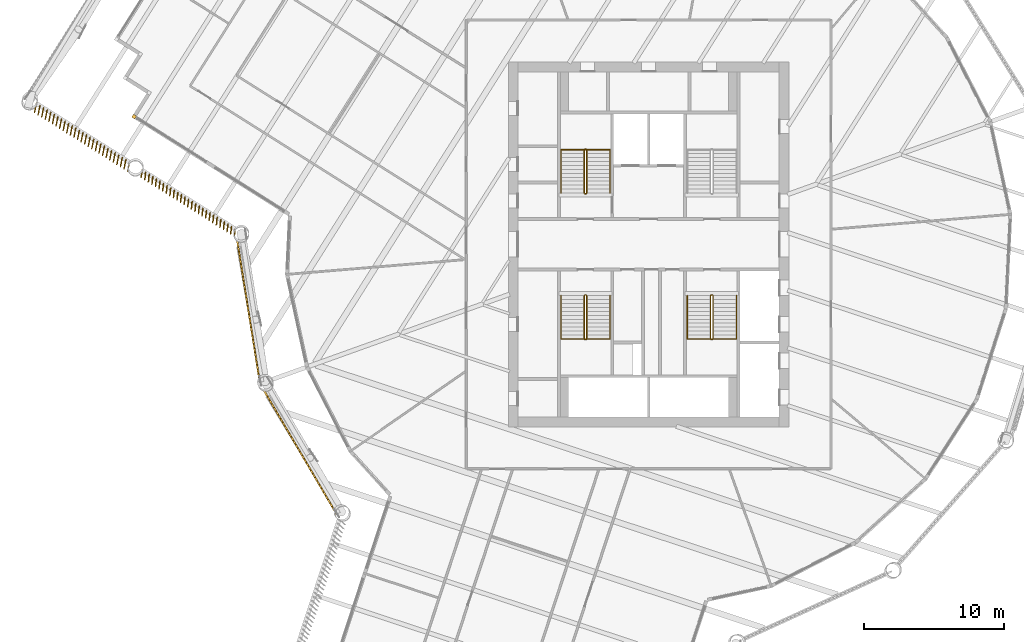
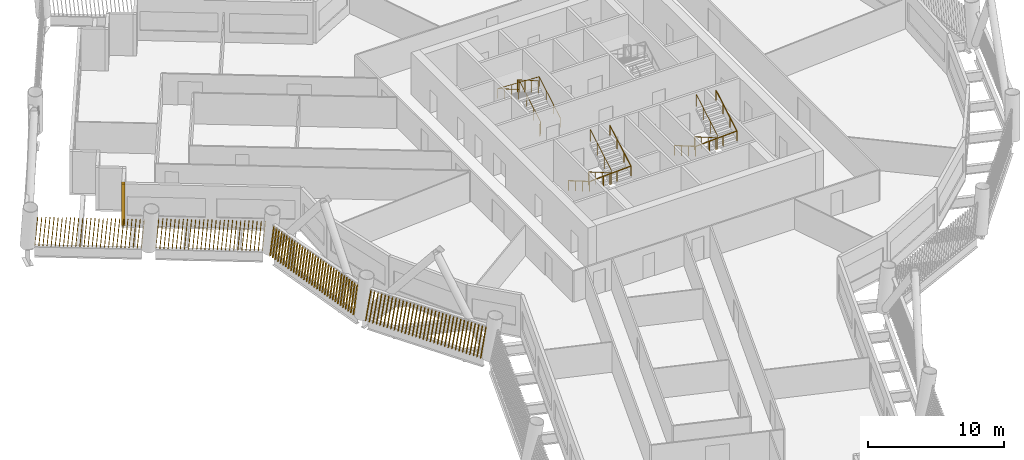
# One storey, part 19 of 22: 6 railings, 5 shading devices.
"""IFC4 building model written with IfcOpenShell, lengths in metres."""

from ifc_helpers import new_model, si_unit, direction, frame, frame_2d, origin, origin_2d, place, context, subcontext, project, spatial, rectangle, circle, composite_profile, extrude, material, type_object, element, save


model = new_model("IFC4")

# Units and contexts
model_context = context("Model", 3, precision=1e-05, world=origin(), true_north=direction((0.0, 1.0)))
body_context = subcontext(model_context, "Body", "Model", "MODEL_VIEW")
ifc_project = project(units=[si_unit("LENGTHUNIT", "METRE"), si_unit("AREAUNIT", "SQUARE_METRE"), si_unit("VOLUMEUNIT", "CUBIC_METRE"), si_unit("PLANEANGLEUNIT", "RADIAN"), si_unit("MASSUNIT", "GRAM", prefix="KILO")], contexts=[model_context])

# Site, building, storey
site_placement = place(None, origin())
site = spatial("IfcSite", under=ifc_project, at=site_placement, CompositionType="ELEMENT")
building_placement = place(site_placement, origin())
building = spatial("IfcBuilding", under=site, at=building_placement, Name="Tarsis Ring Headquarters", CompositionType="ELEMENT")
storey_placement = place(building_placement, frame((0.0, 0.0, 147.60009765625)))
storey = spatial("IfcBuildingStorey", under=building, at=storey_placement, Name="L33", CompositionType="ELEMENT", Elevation=147.60009765625)

# Railings
ifc_material_1 = material(Name="Steel S355", Category="steel")
railing_type_1 = type_object("IfcRailingType", Name="Core stair guard 1100", PredefinedType="GUARDRAIL", material=ifc_material_1)
railing_1_placement = place(storey_placement, frame((-4.5400390625, 3.610107421875, 0.0)))
element("IfcRailing", 1, at=railing_1_placement, inside=storey, type_object=railing_type_1, Name="L33 ST1 stair guard 1", PredefinedType="GUARDRAIL", context=body_context, shape_type="SweptSolid", body=[
    extrude(circle(Radius=0.02392578125, at=origin_2d()), frame((0.0, 0.0, 1.076171875), z_axis=(1.0, 0.0, 0.0), x_axis=(0.0, 1.0, 0.0)), (0.0, 0.0, 1.0), 0.080078125),
    extrude(circle(Radius=0.02392578125, at=origin_2d()), frame((0.080078125, 0.0, 1.076171875), z_axis=(0.282693820306, 0.281314826061, 0.917031173188), x_axis=(-0.705375805398, 0.708833529934, 0.0)), (0.0, 0.0, 1.0), 0.177001953125),
    extrude(circle(Radius=0.02392578125, at=origin_2d()), frame((0.130126953125, 0.0498046875, 1.23828125), z_axis=(0.0, 0.864890721111, 0.501960198159), x_axis=(-1.0, 0.0, 0.0)), (0.0, 0.0, 1.0), 3.561279296875),
    extrude(circle(Radius=0.02392578125, at=origin_2d()), frame((0.130126953125, 3.1298828125, 3.02587890625), z_axis=(-0.707106781187, 0.707106781187, 0.0), x_axis=(-0.707106781187, -0.707106781187, 0.0)), (0.0, 0.0, 1.0), 0.07080078125),
    extrude(circle(Radius=0.02392578125, at=origin_2d()), frame((0.080078125, 3.179931640625, 3.02587890625), z_axis=(-1.0, 0.0, 0.0), x_axis=(0.0, -1.0, 0.0)), (0.0, 0.0, 1.0), 0.080078125),
    extrude(circle(Radius=0.02392578125, at=origin_2d()), frame((0.0, 3.179931640625, 3.02587890625), z_axis=(-0.282583949758, -0.282583949758, 0.916674763849), x_axis=(0.707106781187, -0.707106781187, 0.0)), (0.0, 0.0, 1.0), 0.177001953125),
    extrude(circle(Radius=0.02392578125, at=origin_2d()), frame((-0.050048828125, 3.1298828125, 3.1884765625), z_axis=(0.0, -0.864890721111, 0.501960198159), x_axis=(1.0, 0.0, 0.0)), (0.0, 0.0, 1.0), 3.561279296875),
    extrude(circle(Radius=0.02099609375, at=origin_2d()), origin(), (0.0, 0.0, 1.0), 1.052001953125),
    extrude(circle(Radius=0.02099609375, at=origin_2d()), frame((0.080078125, 0.0, 0.0)), (0.0, 0.0, 1.0), 1.052001953125),
    extrude(circle(Radius=0.02099609375, at=origin_2d()), frame((0.130126953125, 0.0498046875, 0.162353515625)), (0.0, 0.0, 1.0), 1.052001953125),
    extrude(circle(Radius=0.02099609375, at=origin_2d()), frame((0.130126953125, 1.076416015625, 0.75830078125)), (0.0, 0.0, 1.0), 1.052001953125),
    extrude(circle(Radius=0.02099609375, at=origin_2d()), frame((0.130126953125, 2.103271484375, 1.35400390625)), (0.0, 0.0, 1.0), 1.052001953125),
    extrude(circle(Radius=0.02099609375, at=origin_2d()), frame((0.130126953125, 3.1298828125, 1.949951171875)), (0.0, 0.0, 1.0), 1.052001953125),
    extrude(circle(Radius=0.02099609375, at=origin_2d()), frame((0.080078125, 3.179931640625, 1.949951171875)), (0.0, 0.0, 1.0), 1.052001953125),
    extrude(circle(Radius=0.02099609375, at=origin_2d()), frame((0.0, 3.179931640625, 1.949951171875)), (0.0, 0.0, 1.0), 1.052001953125),
    extrude(circle(Radius=0.02099609375, at=origin_2d()), frame((-0.050048828125, 3.1298828125, 2.1123046875)), (0.0, 0.0, 1.0), 1.052001953125),
    extrude(circle(Radius=0.02099609375, at=origin_2d()), frame((-0.050048828125, 2.103271484375, 2.708251953125)), (0.0, 0.0, 1.0), 1.052001953125),
    extrude(circle(Radius=0.02099609375, at=origin_2d()), frame((-0.050048828125, 1.076416015625, 3.303955078125)), (0.0, 0.0, 1.0), 1.052001953125),
    extrude(circle(Radius=0.02099609375, at=origin_2d()), frame((-0.050048828125, 0.0498046875, 3.89990234375)), (0.0, 0.0, 1.0), 1.052001953125),
])
railing_2_placement = place(storey_placement, frame((-4.4599609375, -3.610107421875, 0.0)))
element("IfcRailing", 2, at=railing_2_placement, inside=storey, type_object=railing_type_1, Name="L33 ST3 stair guard 1", PredefinedType="GUARDRAIL", context=body_context, shape_type="SweptSolid", body=[
    extrude(circle(Radius=0.02392578125, at=origin_2d()), frame((0.0, 0.0, 1.076171875), z_axis=(-1.0, 0.0, 0.0), x_axis=(0.0, -1.0, 0.0)), (0.0, 0.0, 1.0), 0.080078125),
    extrude(circle(Radius=0.02392578125, at=origin_2d()), frame((-0.080078125, 0.0, 1.076171875), z_axis=(-0.282693820306, -0.281314826061, 0.917031173188), x_axis=(0.705375805398, -0.708833529934, 0.0)), (0.0, 0.0, 1.0), 0.177001953125),
    extrude(circle(Radius=0.02392578125, at=origin_2d()), frame((-0.130126953125, -0.0498046875, 1.23828125), z_axis=(0.0, -0.864890721111, 0.501960198159), x_axis=(1.0, 0.0, 0.0)), (0.0, 0.0, 1.0), 3.561279296875),
    extrude(circle(Radius=0.02392578125, at=origin_2d()), frame((-0.130126953125, -3.1298828125, 3.02587890625), z_axis=(0.707106781187, -0.707106781187, 0.0), x_axis=(0.707106781187, 0.707106781187, 0.0)), (0.0, 0.0, 1.0), 0.07080078125),
    extrude(circle(Radius=0.02392578125, at=origin_2d()), frame((-0.080078125, -3.179931640625, 3.02587890625), z_axis=(1.0, 0.0, 0.0), x_axis=(0.0, 1.0, 0.0)), (0.0, 0.0, 1.0), 0.080078125),
    extrude(circle(Radius=0.02392578125, at=origin_2d()), frame((0.0, -3.179931640625, 3.02587890625), z_axis=(0.282583949758, 0.282583949758, 0.916674763849), x_axis=(-0.707106781187, 0.707106781187, 0.0)), (0.0, 0.0, 1.0), 0.177001953125),
    extrude(circle(Radius=0.02392578125, at=origin_2d()), frame((0.050048828125, -3.1298828125, 3.1884765625), z_axis=(0.0, 0.864890721111, 0.501960198159), x_axis=(-1.0, 0.0, 0.0)), (0.0, 0.0, 1.0), 3.561279296875),
    extrude(circle(Radius=0.02099609375, at=origin_2d()), origin(), (0.0, 0.0, 1.0), 1.052001953125),
    extrude(circle(Radius=0.02099609375, at=origin_2d()), frame((-0.080078125, 0.0, 0.0)), (0.0, 0.0, 1.0), 1.052001953125),
    extrude(circle(Radius=0.02099609375, at=origin_2d()), frame((-0.130126953125, -0.0498046875, 0.162353515625)), (0.0, 0.0, 1.0), 1.052001953125),
    extrude(circle(Radius=0.02099609375, at=origin_2d()), frame((-0.130126953125, -1.076416015625, 0.75830078125)), (0.0, 0.0, 1.0), 1.052001953125),
    extrude(circle(Radius=0.02099609375, at=origin_2d()), frame((-0.130126953125, -2.103271484375, 1.35400390625)), (0.0, 0.0, 1.0), 1.052001953125),
    extrude(circle(Radius=0.02099609375, at=origin_2d()), frame((-0.130126953125, -3.1298828125, 1.949951171875)), (0.0, 0.0, 1.0), 1.052001953125),
    extrude(circle(Radius=0.02099609375, at=origin_2d()), frame((-0.080078125, -3.179931640625, 1.949951171875)), (0.0, 0.0, 1.0), 1.052001953125),
    extrude(circle(Radius=0.02099609375, at=origin_2d()), frame((0.0, -3.179931640625, 1.949951171875)), (0.0, 0.0, 1.0), 1.052001953125),
    extrude(circle(Radius=0.02099609375, at=origin_2d()), frame((0.050048828125, -3.1298828125, 2.1123046875)), (0.0, 0.0, 1.0), 1.052001953125),
    extrude(circle(Radius=0.02099609375, at=origin_2d()), frame((0.050048828125, -2.103271484375, 2.708251953125)), (0.0, 0.0, 1.0), 1.052001953125),
    extrude(circle(Radius=0.02099609375, at=origin_2d()), frame((0.050048828125, -1.076416015625, 3.303955078125)), (0.0, 0.0, 1.0), 1.052001953125),
    extrude(circle(Radius=0.02099609375, at=origin_2d()), frame((0.050048828125, -0.0498046875, 3.89990234375)), (0.0, 0.0, 1.0), 1.052001953125),
])
railing_3_placement = place(storey_placement, frame((4.5400390625, -3.610107421875, 0.0)))
element("IfcRailing", 3, at=railing_3_placement, inside=storey, type_object=railing_type_1, Name="L33 ST4 stair guard 1", PredefinedType="GUARDRAIL", context=body_context, shape_type="SweptSolid", body=[
    extrude(circle(Radius=0.02392578125, at=origin_2d()), frame((0.0, 0.0, 1.076171875), z_axis=(-1.0, 0.0, 0.0), x_axis=(0.0, -1.0, 0.0)), (0.0, 0.0, 1.0), 0.080078125),
    extrude(circle(Radius=0.02392578125, at=origin_2d()), frame((-0.080078125, 0.0, 1.076171875), z_axis=(-0.282693820306, -0.281314826061, 0.917031173188), x_axis=(0.705375805398, -0.708833529934, 0.0)), (0.0, 0.0, 1.0), 0.177001953125),
    extrude(circle(Radius=0.02392578125, at=origin_2d()), frame((-0.130126953125, -0.0498046875, 1.23828125), z_axis=(0.0, -0.864890721111, 0.501960198159), x_axis=(1.0, 0.0, 0.0)), (0.0, 0.0, 1.0), 3.561279296875),
    extrude(circle(Radius=0.02392578125, at=origin_2d()), frame((-0.130126953125, -3.1298828125, 3.02587890625), z_axis=(0.707106781187, -0.707106781187, 0.0), x_axis=(0.707106781187, 0.707106781187, 0.0)), (0.0, 0.0, 1.0), 0.07080078125),
    extrude(circle(Radius=0.02392578125, at=origin_2d()), frame((-0.080078125, -3.179931640625, 3.02587890625), z_axis=(1.0, 0.0, 0.0), x_axis=(0.0, 1.0, 0.0)), (0.0, 0.0, 1.0), 0.080078125),
    extrude(circle(Radius=0.02392578125, at=origin_2d()), frame((0.0, -3.179931640625, 3.02587890625), z_axis=(0.282583949758, 0.282583949758, 0.916674763849), x_axis=(-0.707106781187, 0.707106781187, 0.0)), (0.0, 0.0, 1.0), 0.177001953125),
    extrude(circle(Radius=0.02392578125, at=origin_2d()), frame((0.050048828125, -3.1298828125, 3.1884765625), z_axis=(0.0, 0.864890721111, 0.501960198159), x_axis=(-1.0, 0.0, 0.0)), (0.0, 0.0, 1.0), 3.561279296875),
    extrude(circle(Radius=0.02099609375, at=origin_2d()), origin(), (0.0, 0.0, 1.0), 1.052001953125),
    extrude(circle(Radius=0.02099609375, at=origin_2d()), frame((-0.080078125, 0.0, 0.0)), (0.0, 0.0, 1.0), 1.052001953125),
    extrude(circle(Radius=0.02099609375, at=origin_2d()), frame((-0.130126953125, -0.0498046875, 0.162353515625)), (0.0, 0.0, 1.0), 1.052001953125),
    extrude(circle(Radius=0.02099609375, at=origin_2d()), frame((-0.130126953125, -1.076416015625, 0.75830078125)), (0.0, 0.0, 1.0), 1.052001953125),
    extrude(circle(Radius=0.02099609375, at=origin_2d()), frame((-0.130126953125, -2.103271484375, 1.35400390625)), (0.0, 0.0, 1.0), 1.052001953125),
    extrude(circle(Radius=0.02099609375, at=origin_2d()), frame((-0.130126953125, -3.1298828125, 1.949951171875)), (0.0, 0.0, 1.0), 1.052001953125),
    extrude(circle(Radius=0.02099609375, at=origin_2d()), frame((-0.080078125, -3.179931640625, 1.949951171875)), (0.0, 0.0, 1.0), 1.052001953125),
    extrude(circle(Radius=0.02099609375, at=origin_2d()), frame((0.0, -3.179931640625, 1.949951171875)), (0.0, 0.0, 1.0), 1.052001953125),
    extrude(circle(Radius=0.02099609375, at=origin_2d()), frame((0.050048828125, -3.1298828125, 2.1123046875)), (0.0, 0.0, 1.0), 1.052001953125),
    extrude(circle(Radius=0.02099609375, at=origin_2d()), frame((0.050048828125, -2.103271484375, 2.708251953125)), (0.0, 0.0, 1.0), 1.052001953125),
    extrude(circle(Radius=0.02099609375, at=origin_2d()), frame((0.050048828125, -1.076416015625, 3.303955078125)), (0.0, 0.0, 1.0), 1.052001953125),
    extrude(circle(Radius=0.02099609375, at=origin_2d()), frame((0.050048828125, -0.0498046875, 3.89990234375)), (0.0, 0.0, 1.0), 1.052001953125),
])
railing_type_2 = type_object("IfcRailingType", Name="Core stair handrail 900", PredefinedType="HANDRAIL", material=ifc_material_1)
railing_4_placement = place(storey_placement, frame((-2.75, 3.659912109375, 0.162353515625)))
element("IfcRailing", 4, at=railing_4_placement, inside=storey, type_object=railing_type_2, Name="L33 ST1 stair handrail 1", PredefinedType="HANDRAIL", context=body_context, shape_type="SweptSolid", body=[
    extrude(circle(Radius=0.02392578125, at=origin_2d()), frame((0.0, 0.0, 0.8759765625), z_axis=(0.0, 0.864890721111, 0.501960198159), x_axis=(-1.0, 0.0, 0.0)), (0.0, 0.0, 1.0), 3.561279296875),
    extrude(circle(Radius=0.02392578125, at=origin_2d()), frame((0.0, 3.080078125, 2.66357421875), z_axis=(-0.998925869279, 0.0, 0.04633689335), x_axis=(0.0, -1.0, 0.0)), (0.0, 0.0, 1.0), 3.503662109375),
    extrude(circle(Radius=0.02392578125, at=origin_2d()), frame((-3.5, 3.080078125, 2.82568359375), z_axis=(0.0, -0.864890721111, 0.501960198159), x_axis=(1.0, 0.0, 0.0)), (0.0, 0.0, 1.0), 3.561279296875),
    extrude(circle(Radius=0.02099609375, at=origin_2d()), origin(), (0.0, 0.0, 1.0), 0.851806640625),
    extrude(circle(Radius=0.02099609375, at=origin_2d()), frame((0.0, 1.026611328125, 0.595947265625)), (0.0, 0.0, 1.0), 0.851806640625),
    extrude(circle(Radius=0.02099609375, at=origin_2d()), frame((0.0, 2.053466796875, 1.191650390625)), (0.0, 0.0, 1.0), 0.851806640625),
    extrude(circle(Radius=0.02099609375, at=origin_2d()), frame((0.0, 3.080078125, 1.78759765625)), (0.0, 0.0, 1.0), 0.851806640625),
    extrude(circle(Radius=0.02099609375, at=origin_2d()), frame((-1.166748046875, 3.080078125, 1.841796875)), (0.0, 0.0, 1.0), 0.851806640625),
    extrude(circle(Radius=0.02099609375, at=origin_2d()), frame((-2.333251953125, 3.080078125, 1.895751953125)), (0.0, 0.0, 1.0), 0.851806640625),
    extrude(circle(Radius=0.02099609375, at=origin_2d()), frame((-3.5, 3.080078125, 1.949951171875)), (0.0, 0.0, 1.0), 0.851806640625),
    extrude(circle(Radius=0.02099609375, at=origin_2d()), frame((-3.5, 2.053466796875, 2.5458984375)), (0.0, 0.0, 1.0), 0.851806640625),
    extrude(circle(Radius=0.02099609375, at=origin_2d()), frame((-3.5, 1.026611328125, 3.1416015625)), (0.0, 0.0, 1.0), 0.851806640625),
    extrude(circle(Radius=0.02099609375, at=origin_2d()), frame((-3.5, 0.0, 3.737548828125)), (0.0, 0.0, 1.0), 0.851806640625),
])
railing_5_placement = place(storey_placement, frame((-6.25, -3.659912109375, 0.162353515625)))
element("IfcRailing", 5, at=railing_5_placement, inside=storey, type_object=railing_type_2, Name="L33 ST3 stair handrail 1", PredefinedType="HANDRAIL", context=body_context, shape_type="SweptSolid", body=[
    extrude(circle(Radius=0.02392578125, at=origin_2d()), frame((0.0, 0.0, 0.8759765625), z_axis=(0.0, -0.864890721111, 0.501960198159), x_axis=(1.0, 0.0, 0.0)), (0.0, 0.0, 1.0), 3.561279296875),
    extrude(circle(Radius=0.02392578125, at=origin_2d()), frame((0.0, -3.080078125, 2.66357421875), z_axis=(0.998925869279, 0.0, 0.04633689335), x_axis=(0.0, 1.0, 0.0)), (0.0, 0.0, 1.0), 3.503662109375),
    extrude(circle(Radius=0.02392578125, at=origin_2d()), frame((3.5, -3.080078125, 2.82568359375), z_axis=(0.0, 0.864890721111, 0.501960198159), x_axis=(-1.0, 0.0, 0.0)), (0.0, 0.0, 1.0), 3.561279296875),
    extrude(circle(Radius=0.02099609375, at=origin_2d()), origin(), (0.0, 0.0, 1.0), 0.851806640625),
    extrude(circle(Radius=0.02099609375, at=origin_2d()), frame((0.0, -1.026611328125, 0.595947265625)), (0.0, 0.0, 1.0), 0.851806640625),
    extrude(circle(Radius=0.02099609375, at=origin_2d()), frame((0.0, -2.053466796875, 1.191650390625)), (0.0, 0.0, 1.0), 0.851806640625),
    extrude(circle(Radius=0.02099609375, at=origin_2d()), frame((0.0, -3.080078125, 1.78759765625)), (0.0, 0.0, 1.0), 0.851806640625),
    extrude(circle(Radius=0.02099609375, at=origin_2d()), frame((1.166748046875, -3.080078125, 1.841796875)), (0.0, 0.0, 1.0), 0.851806640625),
    extrude(circle(Radius=0.02099609375, at=origin_2d()), frame((2.333251953125, -3.080078125, 1.895751953125)), (0.0, 0.0, 1.0), 0.851806640625),
    extrude(circle(Radius=0.02099609375, at=origin_2d()), frame((3.5, -3.080078125, 1.949951171875)), (0.0, 0.0, 1.0), 0.851806640625),
    extrude(circle(Radius=0.02099609375, at=origin_2d()), frame((3.5, -2.053466796875, 2.5458984375)), (0.0, 0.0, 1.0), 0.851806640625),
    extrude(circle(Radius=0.02099609375, at=origin_2d()), frame((3.5, -1.026611328125, 3.1416015625)), (0.0, 0.0, 1.0), 0.851806640625),
    extrude(circle(Radius=0.02099609375, at=origin_2d()), frame((3.5, 0.0, 3.737548828125)), (0.0, 0.0, 1.0), 0.851806640625),
])
railing_6_placement = place(storey_placement, frame((2.75, -3.659912109375, 0.162353515625)))
element("IfcRailing", 6, at=railing_6_placement, inside=storey, type_object=railing_type_2, Name="L33 ST4 stair handrail 1", PredefinedType="HANDRAIL", context=body_context, shape_type="SweptSolid", body=[
    extrude(circle(Radius=0.02392578125, at=origin_2d()), frame((0.0, 0.0, 0.8759765625), z_axis=(0.0, -0.864890721111, 0.501960198159), x_axis=(1.0, 0.0, 0.0)), (0.0, 0.0, 1.0), 3.561279296875),
    extrude(circle(Radius=0.02392578125, at=origin_2d()), frame((0.0, -3.080078125, 2.66357421875), z_axis=(0.998925869279, 0.0, 0.04633689335), x_axis=(0.0, 1.0, 0.0)), (0.0, 0.0, 1.0), 3.503662109375),
    extrude(circle(Radius=0.02392578125, at=origin_2d()), frame((3.5, -3.080078125, 2.82568359375), z_axis=(0.0, 0.864890721111, 0.501960198159), x_axis=(-1.0, 0.0, 0.0)), (0.0, 0.0, 1.0), 3.561279296875),
    extrude(circle(Radius=0.02099609375, at=origin_2d()), origin(), (0.0, 0.0, 1.0), 0.851806640625),
    extrude(circle(Radius=0.02099609375, at=origin_2d()), frame((0.0, -1.026611328125, 0.595947265625)), (0.0, 0.0, 1.0), 0.851806640625),
    extrude(circle(Radius=0.02099609375, at=origin_2d()), frame((0.0, -2.053466796875, 1.191650390625)), (0.0, 0.0, 1.0), 0.851806640625),
    extrude(circle(Radius=0.02099609375, at=origin_2d()), frame((0.0, -3.080078125, 1.78759765625)), (0.0, 0.0, 1.0), 0.851806640625),
    extrude(circle(Radius=0.02099609375, at=origin_2d()), frame((1.166748046875, -3.080078125, 1.841796875)), (0.0, 0.0, 1.0), 0.851806640625),
    extrude(circle(Radius=0.02099609375, at=origin_2d()), frame((2.333251953125, -3.080078125, 1.895751953125)), (0.0, 0.0, 1.0), 0.851806640625),
    extrude(circle(Radius=0.02099609375, at=origin_2d()), frame((3.5, -3.080078125, 1.949951171875)), (0.0, 0.0, 1.0), 0.851806640625),
    extrude(circle(Radius=0.02099609375, at=origin_2d()), frame((3.5, -2.053466796875, 2.5458984375)), (0.0, 0.0, 1.0), 0.851806640625),
    extrude(circle(Radius=0.02099609375, at=origin_2d()), frame((3.5, -1.026611328125, 3.1416015625)), (0.0, 0.0, 1.0), 0.851806640625),
    extrude(circle(Radius=0.02099609375, at=origin_2d()), frame((3.5, 0.0, 3.737548828125)), (0.0, 0.0, 1.0), 0.851806640625),
])

# Shading devices
ifc_material_2 = material(Name="Terracotta baguette", Category="masonry")
shading_device_type_1 = type_object("IfcShadingDeviceType", Name="Terracotta baguette screen", PredefinedType="USERDEFINED", material=ifc_material_2)
shading_device_1_placement = place(storey_placement, frame((-27.41162109375, -10.432373046875, 0.0), z_axis=(0.0, 0.0, 1.0), x_axis=(0.506408494691, -0.862286071205, 0.0)))
element("IfcShadingDevice", 7, at=shading_device_1_placement, inside=storey, type_object=shading_device_type_1, Name="Baguette screen L33-00", ObjectType="Terracotta baguette screen", PredefinedType="USERDEFINED", context=body_context, shape_type="SweptSolid", body=[
    extrude(composite_profile([rectangle(XDim=0.06005859375, YDim=0.1201171875, at=frame_2d((0.030029296875, 0.0))), rectangle(XDim=0.06005859375, YDim=0.1201171875, at=frame_2d((0.33349609375, 0.0))), rectangle(XDim=0.06005859375, YDim=0.1201171875, at=frame_2d((0.636962890625, 0.0))), rectangle(XDim=0.06005859375, YDim=0.1201171875, at=frame_2d((0.9404296875, 0.0))), rectangle(XDim=0.06005859375, YDim=0.1201171875, at=frame_2d((1.243896484375, 0.0))), rectangle(XDim=0.06005859375, YDim=0.1201171875, at=frame_2d((1.54736328125, 0.0))), rectangle(XDim=0.06005859375, YDim=0.1201171875, at=frame_2d((1.85107421875, 0.0))), rectangle(XDim=0.06005859375, YDim=0.1201171875, at=frame_2d((2.154541015625, 0.0))), rectangle(XDim=0.06005859375, YDim=0.1201171875, at=frame_2d((2.4580078125, 0.0))), rectangle(XDim=0.06005859375, YDim=0.1201171875, at=frame_2d((2.761474609375, 0.0))), rectangle(XDim=0.06005859375, YDim=0.1201171875, at=frame_2d((3.06494140625, 0.0))), rectangle(XDim=0.06005859375, YDim=0.1201171875, at=frame_2d((3.368408203125, 0.0))), rectangle(XDim=0.06005859375, YDim=0.1201171875, at=frame_2d((3.671875, 0.0))), rectangle(XDim=0.06005859375, YDim=0.1201171875, at=frame_2d((3.975341796875, 0.0))), rectangle(XDim=0.06005859375, YDim=0.1201171875, at=frame_2d((4.27880859375, 0.0))), rectangle(XDim=0.06005859375, YDim=0.1201171875, at=frame_2d((4.582275390625, 0.0))), rectangle(XDim=0.06005859375, YDim=0.1201171875, at=frame_2d((4.8857421875, 0.0))), rectangle(XDim=0.06005859375, YDim=0.1201171875, at=frame_2d((5.189453125, 0.0))), rectangle(XDim=0.06005859375, YDim=0.1201171875, at=frame_2d((5.492919921875, 0.0))), rectangle(XDim=0.06005859375, YDim=0.1201171875, at=frame_2d((5.79638671875, 0.0))), rectangle(XDim=0.06005859375, YDim=0.1201171875, at=frame_2d((6.099853515625, 0.0))), rectangle(XDim=0.06005859375, YDim=0.1201171875, at=frame_2d((6.4033203125, 0.0))), rectangle(XDim=0.06005859375, YDim=0.1201171875, at=frame_2d((6.706787109375, 0.0))), rectangle(XDim=0.06005859375, YDim=0.1201171875, at=frame_2d((7.01025390625, 0.0))), rectangle(XDim=0.06005859375, YDim=0.1201171875, at=frame_2d((7.313720703125, 0.0))), rectangle(XDim=0.06005859375, YDim=0.1201171875, at=frame_2d((7.6171875, 0.0))), rectangle(XDim=0.06005859375, YDim=0.1201171875, at=frame_2d((7.920654296875, 0.0))), rectangle(XDim=0.06005859375, YDim=0.1201171875, at=frame_2d((8.224365234375, 0.0))), rectangle(XDim=0.06005859375, YDim=0.1201171875, at=frame_2d((8.52783203125, 0.0))), rectangle(XDim=0.06005859375, YDim=0.1201171875, at=frame_2d((8.831298828125, 0.0))), rectangle(XDim=0.06005859375, YDim=0.1201171875, at=frame_2d((9.134765625, 0.0))), rectangle(XDim=0.06005859375, YDim=0.1201171875, at=frame_2d((9.438232421875, 0.0))), rectangle(XDim=0.06005859375, YDim=0.1201171875, at=frame_2d((9.74169921875, 0.0)))]), origin(), (0.152191778669, 0.001194693338, 0.988350259378), 2.984619140625),
])
shading_device_2_placement = place(storey_placement, frame((-43.669921875, 10.062744140625, 0.0), z_axis=(0.0, 0.0, 1.0), x_axis=(0.845619130005, -0.533767918932, 0.0)))
element("IfcShadingDevice", 8, at=shading_device_2_placement, inside=storey, type_object=shading_device_type_1, Name="Baguette screen L33-19", ObjectType="Terracotta baguette screen", PredefinedType="USERDEFINED", context=body_context, shape_type="SweptSolid", body=[
    extrude(composite_profile([rectangle(XDim=0.06005859375, YDim=0.1201171875, at=frame_2d((0.030029296875, 0.0))), rectangle(XDim=0.06005859375, YDim=0.1201171875, at=frame_2d((0.33154296875, 0.0))), rectangle(XDim=0.06005859375, YDim=0.1201171875, at=frame_2d((0.63330078125, 0.0))), rectangle(XDim=0.06005859375, YDim=0.1201171875, at=frame_2d((0.934814453125, 0.0))), rectangle(XDim=0.06005859375, YDim=0.1201171875, at=frame_2d((1.236572265625, 0.0))), rectangle(XDim=0.06005859375, YDim=0.1201171875, at=frame_2d((1.5380859375, 0.0))), rectangle(XDim=0.06005859375, YDim=0.1201171875, at=frame_2d((1.83984375, 0.0))), rectangle(XDim=0.06005859375, YDim=0.1201171875, at=frame_2d((2.141357421875, 0.0))), rectangle(XDim=0.06005859375, YDim=0.1201171875, at=frame_2d((2.443115234375, 0.0))), rectangle(XDim=0.06005859375, YDim=0.1201171875, at=frame_2d((2.74462890625, 0.0))), rectangle(XDim=0.06005859375, YDim=0.1201171875, at=frame_2d((3.04638671875, 0.0))), rectangle(XDim=0.06005859375, YDim=0.1201171875, at=frame_2d((3.347900390625, 0.0))), rectangle(XDim=0.06005859375, YDim=0.1201171875, at=frame_2d((3.649658203125, 0.0))), rectangle(XDim=0.06005859375, YDim=0.1201171875, at=frame_2d((3.951171875, 0.0))), rectangle(XDim=0.06005859375, YDim=0.1201171875, at=frame_2d((4.252685546875, 0.0))), rectangle(XDim=0.06005859375, YDim=0.1201171875, at=frame_2d((4.554443359375, 0.0))), rectangle(XDim=0.06005859375, YDim=0.1201171875, at=frame_2d((4.85595703125, 0.0))), rectangle(XDim=0.06005859375, YDim=0.1201171875, at=frame_2d((5.15771484375, 0.0))), rectangle(XDim=0.06005859375, YDim=0.1201171875, at=frame_2d((5.459228515625, 0.0))), rectangle(XDim=0.06005859375, YDim=0.1201171875, at=frame_2d((5.760986328125, 0.0))), rectangle(XDim=0.06005859375, YDim=0.1201171875, at=frame_2d((6.0625, 0.0))), rectangle(XDim=0.06005859375, YDim=0.1201171875, at=frame_2d((6.3642578125, 0.0))), rectangle(XDim=0.06005859375, YDim=0.1201171875, at=frame_2d((6.665771484375, 0.0))), rectangle(XDim=0.06005859375, YDim=0.1201171875, at=frame_2d((6.967529296875, 0.0))), rectangle(XDim=0.06005859375, YDim=0.1201171875, at=frame_2d((7.26904296875, 0.0))), rectangle(XDim=0.06005859375, YDim=0.1201171875, at=frame_2d((7.57080078125, 0.0))), rectangle(XDim=0.06005859375, YDim=0.1201171875, at=frame_2d((7.872314453125, 0.0)))]), origin(), (0.078550357283, -0.19886276718, 0.976874322111), 3.019775390625),
])
shading_device_3_placement = place(storey_placement, frame((-36.14208984375, 5.31103515625, 0.0), z_axis=(0.0, 0.0, 1.0), x_axis=(0.845650024716, -0.533737024221, 0.0)))
element("IfcShadingDevice", 9, at=shading_device_3_placement, inside=storey, type_object=shading_device_type_1, Name="Baguette screen L33-20", ObjectType="Terracotta baguette screen", PredefinedType="USERDEFINED", context=body_context, shape_type="SweptSolid", body=[
    extrude(composite_profile([rectangle(XDim=0.06005859375, YDim=0.1201171875, at=frame_2d((0.030029296875, 0.0))), rectangle(XDim=0.06005859375, YDim=0.1201171875, at=frame_2d((0.33154296875, 0.0))), rectangle(XDim=0.06005859375, YDim=0.1201171875, at=frame_2d((0.63330078125, 0.0))), rectangle(XDim=0.06005859375, YDim=0.1201171875, at=frame_2d((0.934814453125, 0.0))), rectangle(XDim=0.06005859375, YDim=0.1201171875, at=frame_2d((1.236572265625, 0.0))), rectangle(XDim=0.06005859375, YDim=0.1201171875, at=frame_2d((1.5380859375, 0.0))), rectangle(XDim=0.06005859375, YDim=0.1201171875, at=frame_2d((1.83984375, 0.0))), rectangle(XDim=0.06005859375, YDim=0.1201171875, at=frame_2d((2.141357421875, 0.0))), rectangle(XDim=0.06005859375, YDim=0.1201171875, at=frame_2d((2.443115234375, 0.0))), rectangle(XDim=0.06005859375, YDim=0.1201171875, at=frame_2d((2.74462890625, 0.0))), rectangle(XDim=0.06005859375, YDim=0.1201171875, at=frame_2d((3.04638671875, 0.0))), rectangle(XDim=0.06005859375, YDim=0.1201171875, at=frame_2d((3.347900390625, 0.0))), rectangle(XDim=0.06005859375, YDim=0.1201171875, at=frame_2d((3.649658203125, 0.0))), rectangle(XDim=0.06005859375, YDim=0.1201171875, at=frame_2d((3.951171875, 0.0))), rectangle(XDim=0.06005859375, YDim=0.1201171875, at=frame_2d((4.252685546875, 0.0))), rectangle(XDim=0.06005859375, YDim=0.1201171875, at=frame_2d((4.554443359375, 0.0))), rectangle(XDim=0.06005859375, YDim=0.1201171875, at=frame_2d((4.85595703125, 0.0))), rectangle(XDim=0.06005859375, YDim=0.1201171875, at=frame_2d((5.15771484375, 0.0))), rectangle(XDim=0.06005859375, YDim=0.1201171875, at=frame_2d((5.459228515625, 0.0))), rectangle(XDim=0.06005859375, YDim=0.1201171875, at=frame_2d((5.760986328125, 0.0))), rectangle(XDim=0.06005859375, YDim=0.1201171875, at=frame_2d((6.0625, 0.0))), rectangle(XDim=0.06005859375, YDim=0.1201171875, at=frame_2d((6.3642578125, 0.0))), rectangle(XDim=0.06005859375, YDim=0.1201171875, at=frame_2d((6.665771484375, 0.0))), rectangle(XDim=0.06005859375, YDim=0.1201171875, at=frame_2d((6.967529296875, 0.0))), rectangle(XDim=0.06005859375, YDim=0.1201171875, at=frame_2d((7.26904296875, 0.0))), rectangle(XDim=0.06005859375, YDim=0.1201171875, at=frame_2d((7.57080078125, 0.0))), rectangle(XDim=0.06005859375, YDim=0.1201171875, at=frame_2d((7.872314453125, 0.0)))]), origin(), (0.07882634781, -0.153824334335, 0.984948973834), 2.9951171875),
])
shading_device_4_placement = place(storey_placement, frame((-29.328369140625, 0.2734375, 0.0), z_axis=(0.0, 0.0, 1.0), x_axis=(0.1573766396, -0.987532792005, 0.0)))
element("IfcShadingDevice", 10, at=shading_device_4_placement, inside=storey, type_object=shading_device_type_1, Name="Baguette screen L33-21", ObjectType="Terracotta baguette screen", PredefinedType="USERDEFINED", context=body_context, shape_type="SweptSolid", body=[
    extrude(composite_profile([rectangle(XDim=0.06005859375, YDim=0.1201171875, at=frame_2d((0.030029296875, 0.0))), rectangle(XDim=0.06005859375, YDim=0.1201171875, at=frame_2d((0.33349609375, 0.0))), rectangle(XDim=0.06005859375, YDim=0.1201171875, at=frame_2d((0.636962890625, 0.0))), rectangle(XDim=0.06005859375, YDim=0.1201171875, at=frame_2d((0.9404296875, 0.0))), rectangle(XDim=0.06005859375, YDim=0.1201171875, at=frame_2d((1.243896484375, 0.0))), rectangle(XDim=0.06005859375, YDim=0.1201171875, at=frame_2d((1.54736328125, 0.0))), rectangle(XDim=0.06005859375, YDim=0.1201171875, at=frame_2d((1.85107421875, 0.0))), rectangle(XDim=0.06005859375, YDim=0.1201171875, at=frame_2d((2.154541015625, 0.0))), rectangle(XDim=0.06005859375, YDim=0.1201171875, at=frame_2d((2.4580078125, 0.0))), rectangle(XDim=0.06005859375, YDim=0.1201171875, at=frame_2d((2.761474609375, 0.0))), rectangle(XDim=0.06005859375, YDim=0.1201171875, at=frame_2d((3.06494140625, 0.0))), rectangle(XDim=0.06005859375, YDim=0.1201171875, at=frame_2d((3.368408203125, 0.0))), rectangle(XDim=0.06005859375, YDim=0.1201171875, at=frame_2d((3.671875, 0.0))), rectangle(XDim=0.06005859375, YDim=0.1201171875, at=frame_2d((3.975341796875, 0.0))), rectangle(XDim=0.06005859375, YDim=0.1201171875, at=frame_2d((4.27880859375, 0.0))), rectangle(XDim=0.06005859375, YDim=0.1201171875, at=frame_2d((4.582275390625, 0.0))), rectangle(XDim=0.06005859375, YDim=0.1201171875, at=frame_2d((4.8857421875, 0.0))), rectangle(XDim=0.06005859375, YDim=0.1201171875, at=frame_2d((5.189453125, 0.0))), rectangle(XDim=0.06005859375, YDim=0.1201171875, at=frame_2d((5.492919921875, 0.0))), rectangle(XDim=0.06005859375, YDim=0.1201171875, at=frame_2d((5.79638671875, 0.0))), rectangle(XDim=0.06005859375, YDim=0.1201171875, at=frame_2d((6.099853515625, 0.0))), rectangle(XDim=0.06005859375, YDim=0.1201171875, at=frame_2d((6.4033203125, 0.0))), rectangle(XDim=0.06005859375, YDim=0.1201171875, at=frame_2d((6.706787109375, 0.0))), rectangle(XDim=0.06005859375, YDim=0.1201171875, at=frame_2d((7.01025390625, 0.0))), rectangle(XDim=0.06005859375, YDim=0.1201171875, at=frame_2d((7.313720703125, 0.0))), rectangle(XDim=0.06005859375, YDim=0.1201171875, at=frame_2d((7.6171875, 0.0))), rectangle(XDim=0.06005859375, YDim=0.1201171875, at=frame_2d((7.920654296875, 0.0))), rectangle(XDim=0.06005859375, YDim=0.1201171875, at=frame_2d((8.224365234375, 0.0))), rectangle(XDim=0.06005859375, YDim=0.1201171875, at=frame_2d((8.52783203125, 0.0))), rectangle(XDim=0.06005859375, YDim=0.1201171875, at=frame_2d((8.831298828125, 0.0))), rectangle(XDim=0.06005859375, YDim=0.1201171875, at=frame_2d((9.134765625, 0.0))), rectangle(XDim=0.06005859375, YDim=0.1201171875, at=frame_2d((9.438232421875, 0.0))), rectangle(XDim=0.06005859375, YDim=0.1201171875, at=frame_2d((9.74169921875, 0.0)))]), origin(), (0.152192007488, 0.001196144414, 0.988350222388), 2.984619140625),
])
shading_device_type_2 = type_object("IfcShadingDeviceType", Name="Terracotta corner baguette 250x250", PredefinedType="USERDEFINED", material=ifc_material_2)
shading_device_5_placement = place(storey_placement, frame((-36.675537109375, 9.106689453125, 0.0), z_axis=(0.0, 0.0, 1.0), x_axis=(-0.533761760919, -0.845634899103, 0.0)))
element("IfcShadingDevice", 11, at=shading_device_5_placement, inside=storey, type_object=shading_device_type_2, Name="Corner baguette L33-01", ObjectType="Terracotta corner baguette", PredefinedType="USERDEFINED", context=body_context, shape_type="SweptSolid", body=[
    extrude(rectangle(XDim=0.25, YDim=0.25, at=origin_2d()), origin(), (0.0, 0.0, 1.0), 3.739990234375),
])

save(model, "model.ifc")
